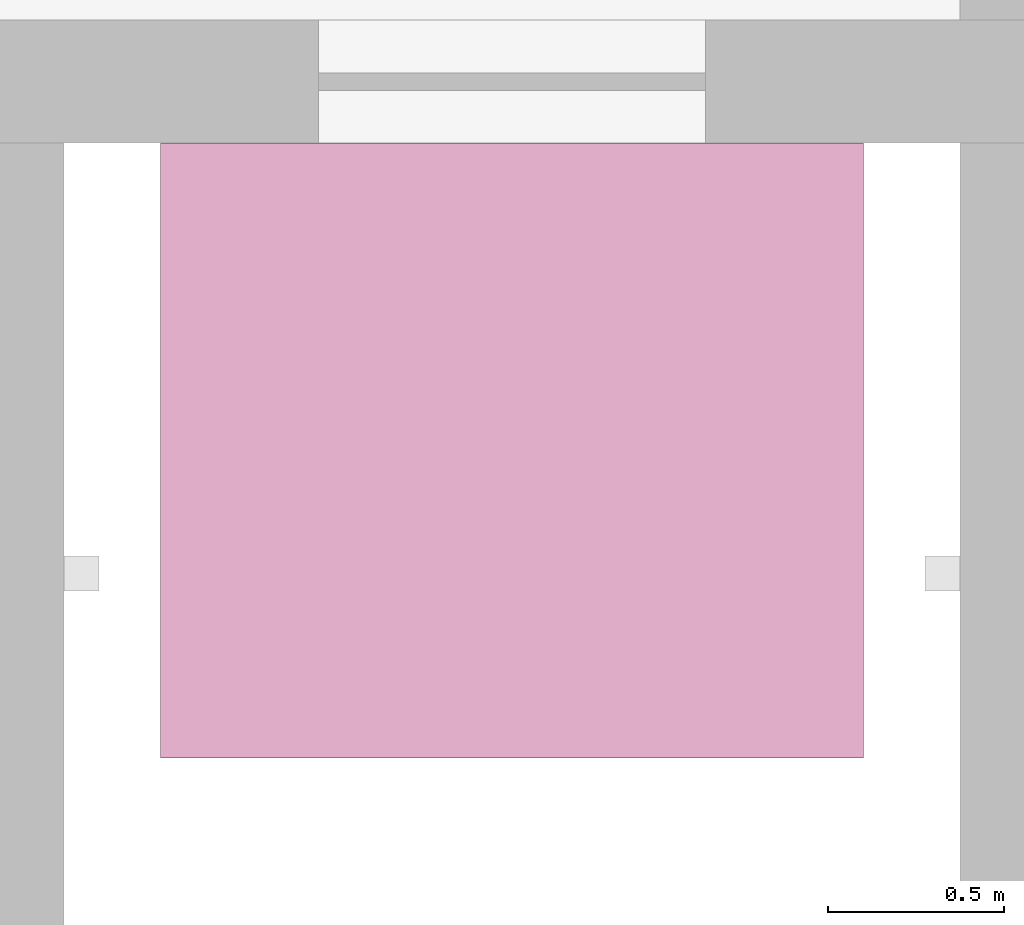
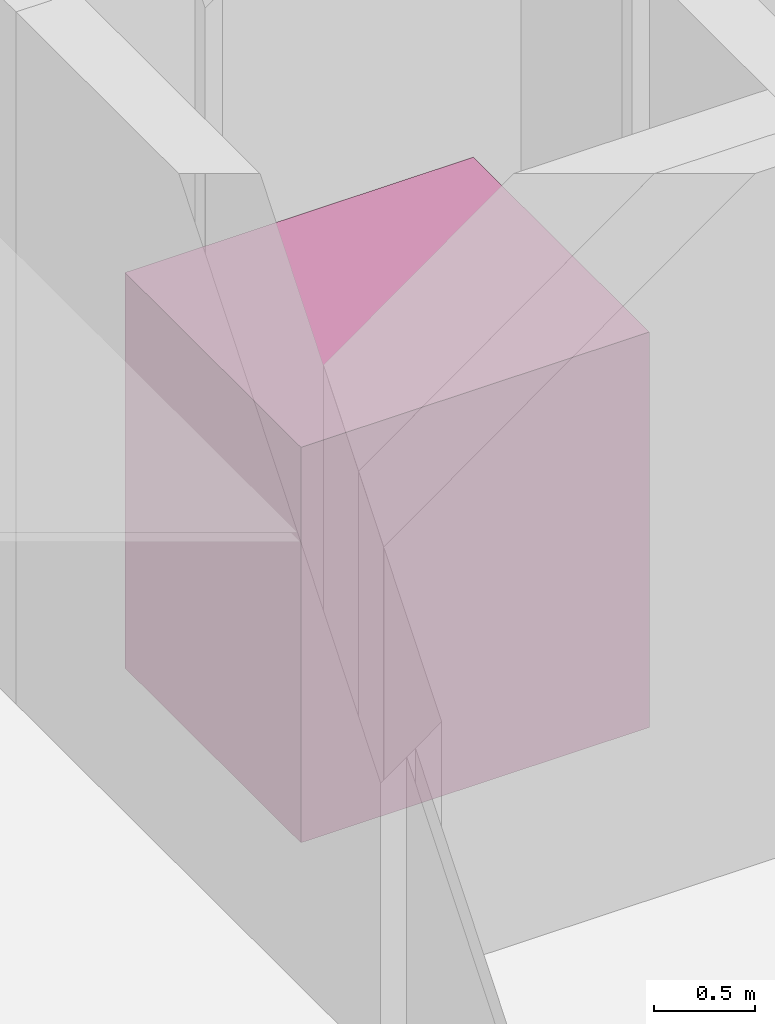
# One storey, part 18 of 18: 1 transport element.
"""IFC4 building model written with IfcOpenShell, lengths in metres."""

from ifc_helpers import new_model, si_unit, direction, frame, origin, origin_2d, place, context, subcontext, project, spatial, rectangle, extrude, material, type_object, element, save


model = new_model("IFC4")

# Units and contexts
model_context = context("Model", 3, precision=1e-05, world=origin(), true_north=direction((0.0, 1.0)))
body_context = subcontext(model_context, "Body", "Model", "MODEL_VIEW")
ifc_project = project(units=[si_unit("LENGTHUNIT", "METRE"), si_unit("AREAUNIT", "SQUARE_METRE"), si_unit("VOLUMEUNIT", "CUBIC_METRE"), si_unit("PLANEANGLEUNIT", "RADIAN"), si_unit("MASSUNIT", "GRAM", prefix="KILO")], contexts=[model_context])

# Site, building, storey
site_placement = place(None, origin())
site = spatial("IfcSite", under=ifc_project, at=site_placement, CompositionType="ELEMENT")
building_placement = place(site_placement, origin())
building = spatial("IfcBuilding", under=site, at=building_placement, Name="Kasaneha Research Tower", CompositionType="ELEMENT")
storey_placement = place(building_placement, frame((0.0, 0.0, 57.0)))
storey = spatial("IfcBuildingStorey", under=building, at=storey_placement, Name="L14", CompositionType="ELEMENT", Elevation=57.0)

# Transport element
ifc_material = material(Name="Steel", Category="steel")
transport_element_type = type_object("IfcTransportElementType", Name="Passenger lift car 2000x1750 1600 kg", PredefinedType="ELEVATOR", material=ifc_material)
transport_element_placement = place(storey_placement, frame((0.0, 0.0, -57.0)))
element("IfcTransportElement", 1, at=transport_element_placement, inside=storey, type_object=transport_element_type, Name="Lift LO3", PredefinedType="ELEVATOR", context=body_context, shape_type="SweptSolid", body=[
    extrude(rectangle(XDim=2.0, YDim=1.75, at=origin_2d()), frame((3.050048828125, -4.64990234375, 57.0)), (0.0, 0.0, 1.0), 2.39990234375),
])

save(model, "model.ifc")
